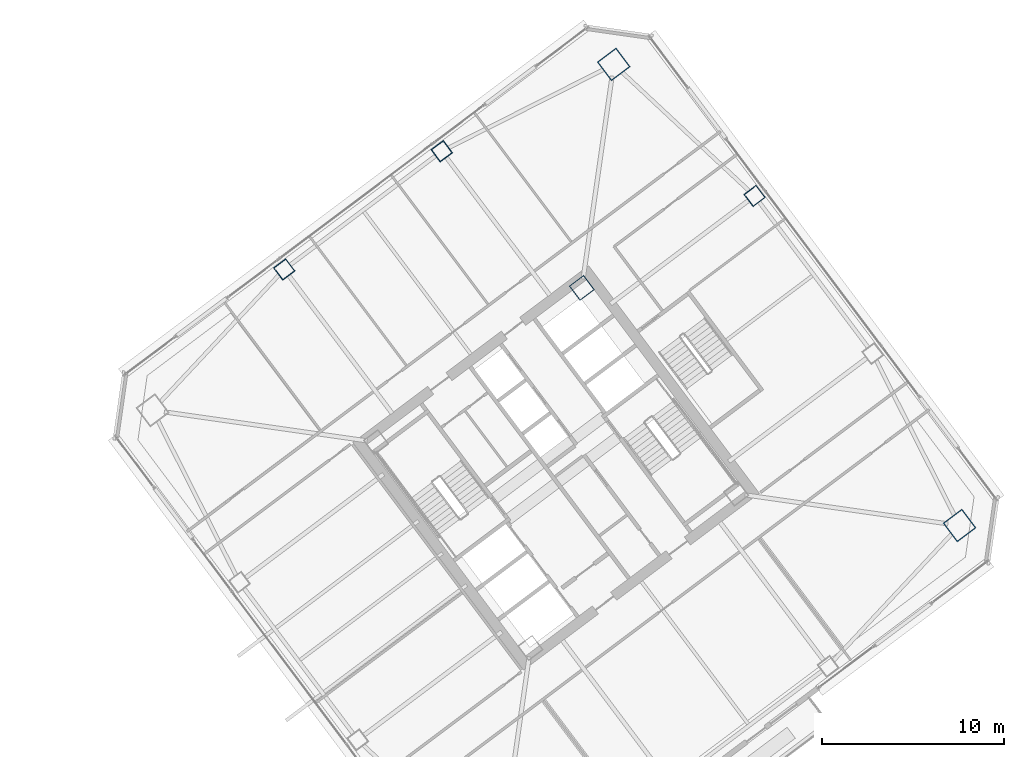
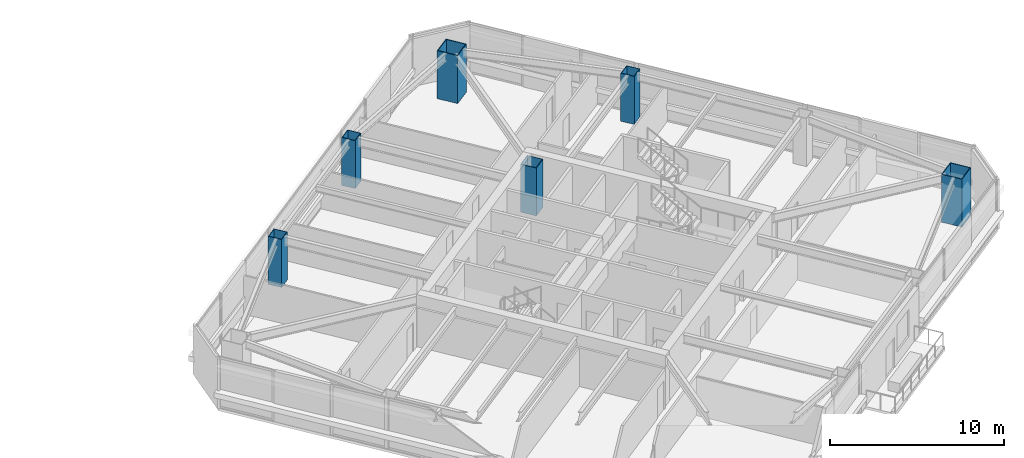
# One storey, part 2 of 46: 6 columns.
"""IFC4 building model written with IfcOpenShell, lengths in metres."""

from ifc_helpers import new_model, si_unit, direction, frame, origin, origin_2d, place, context, subcontext, project, spatial, hollow_rectangle, extrude, material, material_profile, profile_set, type_object, element, save


model = new_model("IFC4")

# Units and contexts
model_context = context("Model", 3, precision=1e-05, world=origin(), true_north=direction((0.0, 1.0)))
body_context = subcontext(model_context, "Body", "Model", "MODEL_VIEW")
ifc_project = project(units=[si_unit("LENGTHUNIT", "METRE"), si_unit("AREAUNIT", "SQUARE_METRE"), si_unit("VOLUMEUNIT", "CUBIC_METRE"), si_unit("PLANEANGLEUNIT", "RADIAN"), si_unit("MASSUNIT", "GRAM", prefix="KILO")], contexts=[model_context])

# Site, building, storey
site_placement = place(None, origin())
site = spatial("IfcSite", under=ifc_project, at=site_placement, CompositionType="ELEMENT")
building_placement = place(site_placement, origin())
building = spatial("IfcBuilding", under=site, at=building_placement, Name="Tashvorn Skyway Center", CompositionType="ELEMENT")
storey_placement = place(building_placement, frame((0.0, 0.0, 139.25)))
storey = spatial("IfcBuildingStorey", under=building, at=storey_placement, Name="L37", CompositionType="ELEMENT", Elevation=139.25)

# Columns
ifc_material = material(Name="Steel ASTM A572 Grade 50", Category="steel")
ifc_material_profile_1 = material_profile(ifc_material, hollow_rectangle(XDim=1.0, YDim=1.0, WallThickness=0.0400390625, at=origin_2d()), Name="BOX1000x1000x40")
ifc_profile_set_1 = profile_set([ifc_material_profile_1], Name="Steel ASTM A572 Grade 50")
column_type_1 = type_object("IfcColumnType", Name="COL-BOX1000x1000x40", PredefinedType="COLUMN", material=ifc_profile_set_1)
column_placement = place(storey_placement, frame((115.409912109375, 41.8701171875, 0.0), z_axis=(0.0, 0.0, 1.0), x_axis=(0.799999996291, 0.600000004945, 0.0)))
element("IfcColumn", 1, at=column_placement, inside=storey, type_object=column_type_1, Name="Tower 2 L37 Core Corner Column CC-NE", PredefinedType="COLUMN", context=body_context, shape_type="SweptSolid", body=[
    extrude(hollow_rectangle(XDim=1.0, YDim=1.0, WallThickness=0.0400390625, at=origin_2d()), origin(), (0.0, 0.0, 1.0), 3.3701171875),
])
ifc_material_profile_2 = material_profile(ifc_material, hollow_rectangle(XDim=1.300048828125, YDim=1.300048828125, WallThickness=0.050048828125, at=origin_2d()), Name="BOX1300x1300x50")
ifc_profile_set_2 = profile_set([ifc_material_profile_2], Name="Steel ASTM A572 Grade 50")
column_type_2 = type_object("IfcColumnType", Name="COL-BOX1300x1300x50", PredefinedType="COLUMN", material=ifc_profile_set_2)
for number, where, z_axis, x_axis, name in (
    (2, (136.1201171875, 28.840087890625, 0.0), (0.0, 0.0, 1.0), (0.799999996291, 0.600000004945, 0.0), "Tower 2 L37 Mega-Column MC-SE"),
    (3, (117.159912109375, 54.1201171875, 0.0), (0.0, 0.0, 1.0), (0.799999996291, 0.600000004945, 0.0), "Tower 2 L37 Mega-Column MC-NE"),
):
    element("IfcColumn", number, at=place(storey_placement, frame(where, z_axis=z_axis, x_axis=x_axis)), inside=storey, type_object=column_type_2, Name=name, PredefinedType="COLUMN", context=body_context, shape_type="SweptSolid", body=[
        extrude(hollow_rectangle(XDim=1.300048828125, YDim=1.300048828125, WallThickness=0.050048828125, at=origin_2d()), origin(), (0.0, 0.0, 1.0), 3.3701171875),
    ])
ifc_material_profile_3 = material_profile(ifc_material, hollow_rectangle(XDim=0.85009765625, YDim=0.85009765625, WallThickness=0.034912109375, at=origin_2d()), Name="BOX850x850x35")
ifc_profile_set_3 = profile_set([ifc_material_profile_3], Name="Steel ASTM A572 Grade 50")
column_type_3 = type_object("IfcColumnType", Name="COL-BOX850x850x35", PredefinedType="COLUMN", material=ifc_profile_set_3)
for number, where, z_axis, x_axis, name in (
    (4, (124.8798828125, 46.909912109375, 0.0), (0.0, 0.0, 1.0), (0.799999996291, 0.600000004945, 0.0), "Tower 2 L37 Perimeter Column FC-E2"),
    (5, (107.72998046875, 49.360107421875, 0.0), (0.0, 0.0, 1.0), (0.799999996291, 0.600000004945, 0.0), "Tower 2 L37 Perimeter Column FC-N1"),
    (6, (99.090087890625, 42.8798828125, 0.0), (0.0, 0.0, 1.0), (0.799999996291, 0.600000004945, 0.0), "Tower 2 L37 Perimeter Column FC-N2"),
):
    element("IfcColumn", number, at=place(storey_placement, frame(where, z_axis=z_axis, x_axis=x_axis)), inside=storey, type_object=column_type_3, Name=name, PredefinedType="COLUMN", context=body_context, shape_type="SweptSolid", body=[
        extrude(hollow_rectangle(XDim=0.85009765625, YDim=0.85009765625, WallThickness=0.034912109375, at=origin_2d()), origin(), (0.0, 0.0, 1.0), 3.3701171875),
    ])

save(model, "model.ifc")
